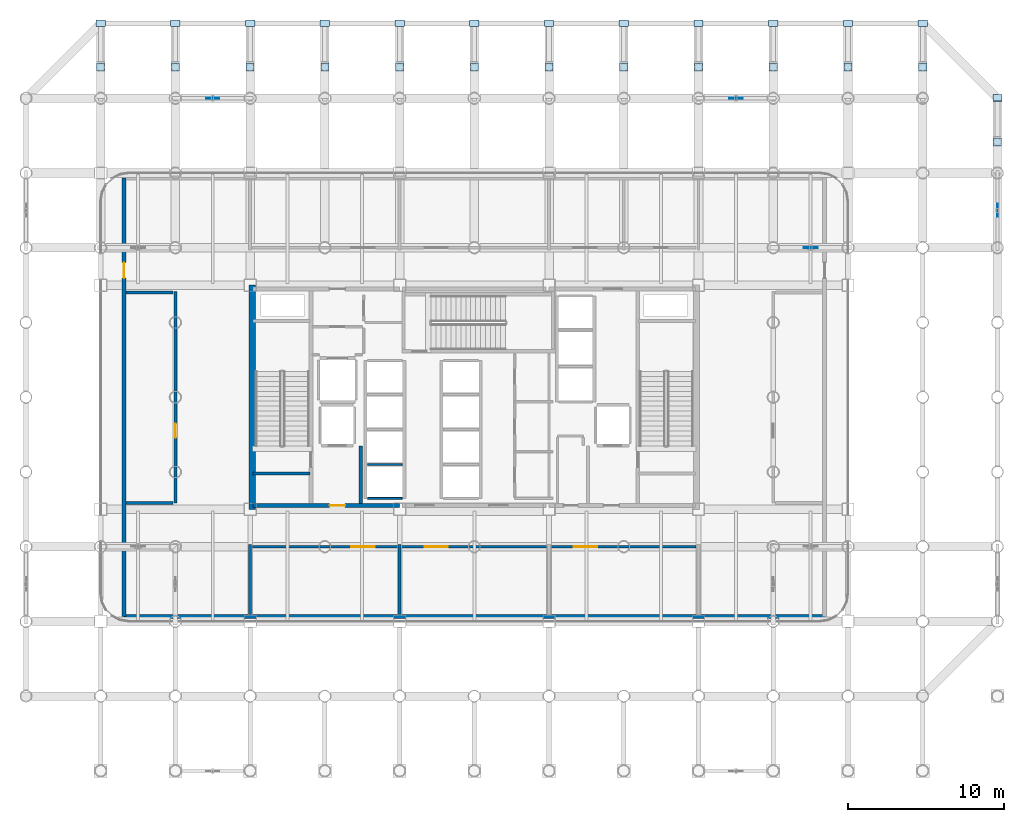
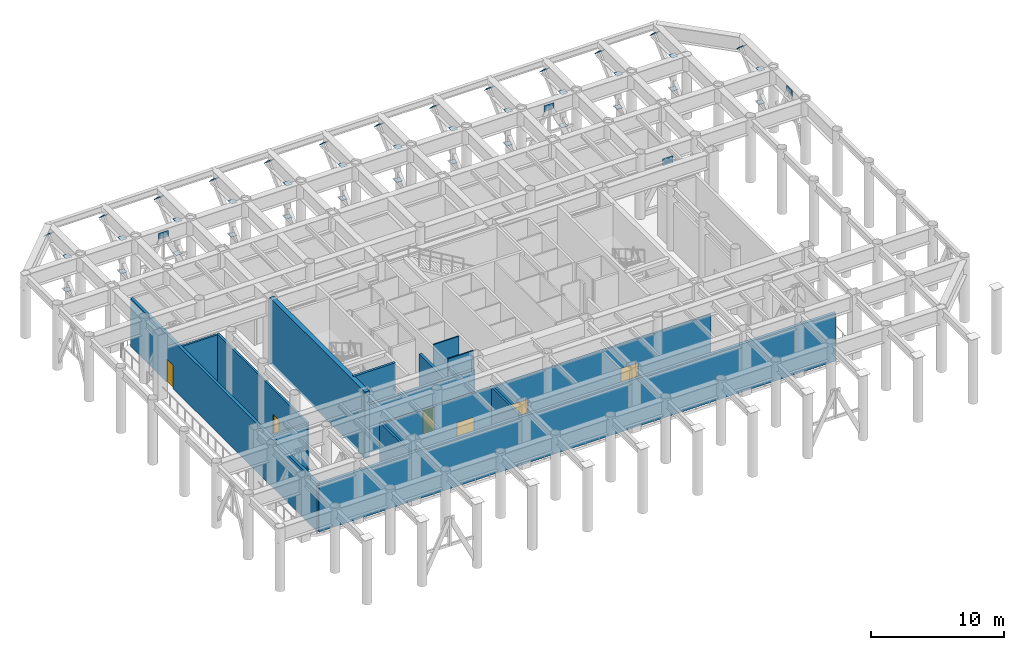
# One storey, part 12 of 19: 43 plates, 14 walls, 6 doors, 6 openings.
"""IFC4 building model written with IfcOpenShell, lengths in metres."""

from ifc_helpers import new_model, si_unit, direction, frame, frame_2d, origin, origin_2d, place, context, subcontext, project, spatial, polyline, rectangle, outline, extrude, material, layer, layer_set, type_object, element, fill, save


model = new_model("IFC4")

# Units and contexts
model_context = context("Model", 3, precision=1e-05, world=origin(), true_north=direction((0.0, 1.0)))
body_context = subcontext(model_context, "Body", "Model", "MODEL_VIEW")
ifc_project = project(units=[si_unit("LENGTHUNIT", "METRE"), si_unit("AREAUNIT", "SQUARE_METRE"), si_unit("VOLUMEUNIT", "CUBIC_METRE"), si_unit("PLANEANGLEUNIT", "RADIAN"), si_unit("MASSUNIT", "GRAM", prefix="KILO")], contexts=[model_context])

# Site, building, storey
site_placement = place(None, origin())
site = spatial("IfcSite", under=ifc_project, at=site_placement, CompositionType="ELEMENT")
building_placement = place(site_placement, origin())
building = spatial("IfcBuilding", under=site, at=building_placement, Name="Kallvorn Hotel Tower", CompositionType="ELEMENT")
storey_placement = place(building_placement, frame((0.0, 0.0, 89.199951171875)))
storey = spatial("IfcBuildingStorey", under=building, at=storey_placement, Name="L21", CompositionType="ELEMENT", Elevation=89.199951171875)

# Plates
ifc_material_1 = material(Name="Structural steel S355JR", Category="steel")
ifc_layer_1 = layer(ifc_material_1, 0.030029296875)
ifc_layer_set_1 = layer_set([ifc_layer_1], Name="PLT_CAP_30")
plate_type_1 = type_object("IfcPlateType", Name="PLT_CAP_30", PredefinedType="SHEET", material=ifc_layer_set_1)
for number, where, z_axis, x_axis, name in (
    (1, (-24.0, 21.199951171875, 1.3701171875), (0.0, 0.0, 1.0), (1.0, 0.0, 0.0), "L21 Prop Column End Cap Plate 01B"),
    (2, (-24.0, 21.199951171875, 4.43994140625), (0.0, 0.0, 1.0), (1.0, 0.0, 0.0), "L21 Prop Column End Cap Plate 01T"),
):
    element("IfcPlate", number, at=place(storey_placement, frame(where, z_axis=z_axis, x_axis=x_axis)), inside=storey, type_object=plate_type_1, Name=name, PredefinedType="SHEET", context=body_context, shape_type="SweptSolid", body=[
        extrude(rectangle(XDim=0.52001953125, YDim=0.52001953125, at=origin_2d()), origin(), (0.0, 0.0, 1.0), 0.030029296875),
    ])
plate_1_placement = place(storey_placement, frame((-23.699951171875, 24.2275390625, 4.572265625), z_axis=(0.0, 0.727949082746, 0.685631193084), x_axis=(-1.0, 0.0, 0.0)))
element("IfcPlate", 3, at=plate_1_placement, inside=storey, type_object=plate_type_1, Name="L21 Cantilever Strut Node Cap 01", PredefinedType="SHEET", context=body_context, shape_type="SweptSolid", body=[
    extrude(outline(polyline([(0.0, 0.0), (0.60009765625, 0.0), (0.60009765625, 0.5999974290474805), (0.0, 0.5999974290474805), (0.0, 0.0)])), origin(), (0.0, 0.0, -1.0), 0.030029296875),
])
for number, where, z_axis, x_axis, name in (
    (4, (-19.199951171875, 21.199951171875, 1.3701171875), (0.0, 0.0, 1.0), (1.0, 0.0, 0.0), "L21 Prop Column End Cap Plate 02B"),
    (5, (-19.199951171875, 21.199951171875, 4.43994140625), (0.0, 0.0, 1.0), (1.0, 0.0, 0.0), "L21 Prop Column End Cap Plate 02T"),
):
    element("IfcPlate", number, at=place(storey_placement, frame(where, z_axis=z_axis, x_axis=x_axis)), inside=storey, type_object=plate_type_1, Name=name, PredefinedType="SHEET", context=body_context, shape_type="SweptSolid", body=[
        extrude(rectangle(XDim=0.52001953125, YDim=0.52001953125, at=origin_2d()), origin(), (0.0, 0.0, 1.0), 0.030029296875),
    ])
plate_2_placement = place(storey_placement, frame((-18.89990234375, 24.2275390625, 4.572265625), z_axis=(0.0, 0.727949082746, 0.685631193084), x_axis=(-1.0, 0.0, 0.0)))
element("IfcPlate", 6, at=plate_2_placement, inside=storey, type_object=plate_type_1, Name="L21 Cantilever Strut Node Cap 02", PredefinedType="SHEET", context=body_context, shape_type="SweptSolid", body=[
    extrude(outline(polyline([(0.0, 0.0), (0.60009765625, 0.0), (0.60009765625, 0.5999974290474805), (0.0, 0.5999974290474805), (0.0, 0.0)])), origin(), (0.0, 0.0, -1.0), 0.030029296875),
])
for number, where, z_axis, x_axis, name in (
    (7, (-14.39990234375, 21.199951171875, 1.3701171875), (0.0, 0.0, 1.0), (1.0, 0.0, 0.0), "L21 Prop Column End Cap Plate 03B"),
    (8, (-14.39990234375, 21.199951171875, 4.43994140625), (0.0, 0.0, 1.0), (1.0, 0.0, 0.0), "L21 Prop Column End Cap Plate 03T"),
):
    element("IfcPlate", number, at=place(storey_placement, frame(where, z_axis=z_axis, x_axis=x_axis)), inside=storey, type_object=plate_type_1, Name=name, PredefinedType="SHEET", context=body_context, shape_type="SweptSolid", body=[
        extrude(rectangle(XDim=0.52001953125, YDim=0.52001953125, at=origin_2d()), origin(), (0.0, 0.0, 1.0), 0.030029296875),
    ])
plate_3_placement = place(storey_placement, frame((-14.10009765625, 24.2275390625, 4.572265625), z_axis=(0.0, 0.727949082746, 0.685631193084), x_axis=(-1.0, 0.0, 0.0)))
element("IfcPlate", 9, at=plate_3_placement, inside=storey, type_object=plate_type_1, Name="L21 Cantilever Strut Node Cap 03", PredefinedType="SHEET", context=body_context, shape_type="SweptSolid", body=[
    extrude(outline(polyline([(0.0, 0.0), (0.599853515625, 0.0), (0.599853515625, 0.5999974290474805), (0.0, 0.5999974290474805), (0.0, 0.0)])), origin(), (0.0, 0.0, -1.0), 0.030029296875),
])
for number, where, z_axis, x_axis, name in (
    (10, (-9.60009765625, 21.199951171875, 1.3701171875), (0.0, 0.0, 1.0), (1.0, 0.0, 0.0), "L21 Prop Column End Cap Plate 04B"),
    (11, (-9.60009765625, 21.199951171875, 4.43994140625), (0.0, 0.0, 1.0), (1.0, 0.0, 0.0), "L21 Prop Column End Cap Plate 04T"),
):
    element("IfcPlate", number, at=place(storey_placement, frame(where, z_axis=z_axis, x_axis=x_axis)), inside=storey, type_object=plate_type_1, Name=name, PredefinedType="SHEET", context=body_context, shape_type="SweptSolid", body=[
        extrude(rectangle(XDim=0.52001953125, YDim=0.52001953125, at=origin_2d()), origin(), (0.0, 0.0, 1.0), 0.030029296875),
    ])
plate_4_placement = place(storey_placement, frame((-9.300048828125, 24.2275390625, 4.572265625), z_axis=(0.0, 0.727949082746, 0.685631193084), x_axis=(-1.0, 0.0, 0.0)))
element("IfcPlate", 12, at=plate_4_placement, inside=storey, type_object=plate_type_1, Name="L21 Cantilever Strut Node Cap 04", PredefinedType="SHEET", context=body_context, shape_type="SweptSolid", body=[
    extrude(outline(polyline([(0.0, 0.0), (0.599853515625, 0.0), (0.599853515625, 0.5999974290474805), (0.0, 0.5999974290474805), (0.0, 0.0)])), origin(), (0.0, 0.0, -1.0), 0.030029296875),
])
for number, where, z_axis, x_axis, name in (
    (13, (-4.800048828125, 21.199951171875, 1.3701171875), (0.0, 0.0, 1.0), (1.0, 0.0, 0.0), "L21 Prop Column End Cap Plate 05B"),
    (14, (-4.800048828125, 21.199951171875, 4.43994140625), (0.0, 0.0, 1.0), (1.0, 0.0, 0.0), "L21 Prop Column End Cap Plate 05T"),
):
    element("IfcPlate", number, at=place(storey_placement, frame(where, z_axis=z_axis, x_axis=x_axis)), inside=storey, type_object=plate_type_1, Name=name, PredefinedType="SHEET", context=body_context, shape_type="SweptSolid", body=[
        extrude(rectangle(XDim=0.52001953125, YDim=0.52001953125, at=origin_2d()), origin(), (0.0, 0.0, 1.0), 0.030029296875),
    ])
plate_5_placement = place(storey_placement, frame((-4.5, 24.2275390625, 4.572265625), z_axis=(0.0, 0.727949082746, 0.685631193084), x_axis=(-1.0, 0.0, 0.0)))
element("IfcPlate", 15, at=plate_5_placement, inside=storey, type_object=plate_type_1, Name="L21 Cantilever Strut Node Cap 05", PredefinedType="SHEET", context=body_context, shape_type="SweptSolid", body=[
    extrude(outline(polyline([(0.0, 0.0), (0.60009765625, 0.0), (0.60009765625, 0.5999974290474805), (0.0, 0.5999974290474805), (0.0, 0.0)])), origin(), (0.0, 0.0, -1.0), 0.030029296875),
])
for number, where, z_axis, x_axis, name in (
    (16, (0.0, 21.199951171875, 1.3701171875), (0.0, 0.0, 1.0), (1.0, 0.0, 0.0), "L21 Prop Column End Cap Plate 06B"),
    (17, (0.0, 21.199951171875, 4.43994140625), (0.0, 0.0, 1.0), (1.0, 0.0, 0.0), "L21 Prop Column End Cap Plate 06T"),
):
    element("IfcPlate", number, at=place(storey_placement, frame(where, z_axis=z_axis, x_axis=x_axis)), inside=storey, type_object=plate_type_1, Name=name, PredefinedType="SHEET", context=body_context, shape_type="SweptSolid", body=[
        extrude(rectangle(XDim=0.52001953125, YDim=0.52001953125, at=origin_2d()), origin(), (0.0, 0.0, 1.0), 0.030029296875),
    ])
plate_6_placement = place(storey_placement, frame((0.300048828125, 24.2275390625, 4.572265625), z_axis=(0.0, 0.727949082746, 0.685631193084), x_axis=(-1.0, 0.0, 0.0)))
element("IfcPlate", 18, at=plate_6_placement, inside=storey, type_object=plate_type_1, Name="L21 Cantilever Strut Node Cap 06", PredefinedType="SHEET", context=body_context, shape_type="SweptSolid", body=[
    extrude(outline(polyline([(0.0, 0.0), (0.60009765625, 0.0), (0.60009765625, 0.5999974290474805), (0.0, 0.5999974290474805), (0.0, 0.0)])), origin(), (0.0, 0.0, -1.0), 0.030029296875),
])
for number, where, z_axis, x_axis, name in (
    (19, (4.800048828125, 21.199951171875, 1.3701171875), (0.0, 0.0, 1.0), (1.0, 0.0, 0.0), "L21 Prop Column End Cap Plate 07B"),
    (20, (4.800048828125, 21.199951171875, 4.43994140625), (0.0, 0.0, 1.0), (1.0, 0.0, 0.0), "L21 Prop Column End Cap Plate 07T"),
):
    element("IfcPlate", number, at=place(storey_placement, frame(where, z_axis=z_axis, x_axis=x_axis)), inside=storey, type_object=plate_type_1, Name=name, PredefinedType="SHEET", context=body_context, shape_type="SweptSolid", body=[
        extrude(rectangle(XDim=0.52001953125, YDim=0.52001953125, at=origin_2d()), origin(), (0.0, 0.0, 1.0), 0.030029296875),
    ])
plate_7_placement = place(storey_placement, frame((5.10009765625, 24.2275390625, 4.572265625), z_axis=(0.0, 0.727949082746, 0.685631193084), x_axis=(-1.0, 0.0, 0.0)))
element("IfcPlate", 21, at=plate_7_placement, inside=storey, type_object=plate_type_1, Name="L21 Cantilever Strut Node Cap 07", PredefinedType="SHEET", context=body_context, shape_type="SweptSolid", body=[
    extrude(outline(polyline([(0.0, 0.0), (0.60009765625, 0.0), (0.60009765625, 0.5999974290474805), (0.0, 0.5999974290474805), (0.0, 0.0)])), origin(), (0.0, 0.0, -1.0), 0.030029296875),
])
for number, where, z_axis, x_axis, name in (
    (22, (9.60009765625, 21.199951171875, 1.3701171875), (0.0, 0.0, 1.0), (1.0, 0.0, 0.0), "L21 Prop Column End Cap Plate 08B"),
    (23, (9.60009765625, 21.199951171875, 4.43994140625), (0.0, 0.0, 1.0), (1.0, 0.0, 0.0), "L21 Prop Column End Cap Plate 08T"),
):
    element("IfcPlate", number, at=place(storey_placement, frame(where, z_axis=z_axis, x_axis=x_axis)), inside=storey, type_object=plate_type_1, Name=name, PredefinedType="SHEET", context=body_context, shape_type="SweptSolid", body=[
        extrude(rectangle(XDim=0.52001953125, YDim=0.52001953125, at=origin_2d()), origin(), (0.0, 0.0, 1.0), 0.030029296875),
    ])
plate_8_placement = place(storey_placement, frame((9.89990234375, 24.2275390625, 4.572265625), z_axis=(0.0, 0.727949082746, 0.685631193084), x_axis=(-1.0, 0.0, 0.0)))
element("IfcPlate", 24, at=plate_8_placement, inside=storey, type_object=plate_type_1, Name="L21 Cantilever Strut Node Cap 08", PredefinedType="SHEET", context=body_context, shape_type="SweptSolid", body=[
    extrude(outline(polyline([(0.0, 0.0), (0.599853515625, 0.0), (0.599853515625, 0.5999974290474805), (0.0, 0.5999974290474805), (0.0, 0.0)])), origin(), (0.0, 0.0, -1.0), 0.030029296875),
])
for number, where, z_axis, x_axis, name in (
    (25, (14.39990234375, 21.199951171875, 1.3701171875), (0.0, 0.0, 1.0), (1.0, 0.0, 0.0), "L21 Prop Column End Cap Plate 09B"),
    (26, (14.39990234375, 21.199951171875, 4.43994140625), (0.0, 0.0, 1.0), (1.0, 0.0, 0.0), "L21 Prop Column End Cap Plate 09T"),
):
    element("IfcPlate", number, at=place(storey_placement, frame(where, z_axis=z_axis, x_axis=x_axis)), inside=storey, type_object=plate_type_1, Name=name, PredefinedType="SHEET", context=body_context, shape_type="SweptSolid", body=[
        extrude(rectangle(XDim=0.52001953125, YDim=0.52001953125, at=origin_2d()), origin(), (0.0, 0.0, 1.0), 0.030029296875),
    ])
plate_9_placement = place(storey_placement, frame((14.699951171875, 24.2275390625, 4.572265625), z_axis=(0.0, 0.727949082746, 0.685631193084), x_axis=(-1.0, 0.0, 0.0)))
element("IfcPlate", 27, at=plate_9_placement, inside=storey, type_object=plate_type_1, Name="L21 Cantilever Strut Node Cap 09", PredefinedType="SHEET", context=body_context, shape_type="SweptSolid", body=[
    extrude(outline(polyline([(0.0, 0.0), (0.599853515625, 0.0), (0.599853515625, 0.5999974290474805), (0.0, 0.5999974290474805), (0.0, 0.0)])), origin(), (0.0, 0.0, -1.0), 0.030029296875),
])
for number, where, z_axis, x_axis, name in (
    (28, (19.199951171875, 21.199951171875, 1.3701171875), (0.0, 0.0, 1.0), (1.0, 0.0, 0.0), "L21 Prop Column End Cap Plate 10B"),
    (29, (19.199951171875, 21.199951171875, 4.43994140625), (0.0, 0.0, 1.0), (1.0, 0.0, 0.0), "L21 Prop Column End Cap Plate 10T"),
):
    element("IfcPlate", number, at=place(storey_placement, frame(where, z_axis=z_axis, x_axis=x_axis)), inside=storey, type_object=plate_type_1, Name=name, PredefinedType="SHEET", context=body_context, shape_type="SweptSolid", body=[
        extrude(rectangle(XDim=0.52001953125, YDim=0.52001953125, at=origin_2d()), origin(), (0.0, 0.0, 1.0), 0.030029296875),
    ])
plate_10_placement = place(storey_placement, frame((19.5, 24.2275390625, 4.572265625), z_axis=(0.0, 0.727949082746, 0.685631193084), x_axis=(-1.0, 0.0, 0.0)))
element("IfcPlate", 30, at=plate_10_placement, inside=storey, type_object=plate_type_1, Name="L21 Cantilever Strut Node Cap 10", PredefinedType="SHEET", context=body_context, shape_type="SweptSolid", body=[
    extrude(outline(polyline([(0.0, 0.0), (0.60009765625, 0.0), (0.60009765625, 0.5999974290474805), (0.0, 0.5999974290474805), (0.0, 0.0)])), origin(), (0.0, 0.0, -1.0), 0.030029296875),
])
for number, where, z_axis, x_axis, name in (
    (31, (24.0, 21.199951171875, 1.3701171875), (0.0, 0.0, 1.0), (1.0, 0.0, 0.0), "L21 Prop Column End Cap Plate 11B"),
    (32, (24.0, 21.199951171875, 4.43994140625), (0.0, 0.0, 1.0), (1.0, 0.0, 0.0), "L21 Prop Column End Cap Plate 11T"),
):
    element("IfcPlate", number, at=place(storey_placement, frame(where, z_axis=z_axis, x_axis=x_axis)), inside=storey, type_object=plate_type_1, Name=name, PredefinedType="SHEET", context=body_context, shape_type="SweptSolid", body=[
        extrude(rectangle(XDim=0.52001953125, YDim=0.52001953125, at=origin_2d()), origin(), (0.0, 0.0, 1.0), 0.030029296875),
    ])
plate_11_placement = place(storey_placement, frame((24.300048828125, 24.2275390625, 4.572265625), z_axis=(0.0, 0.727949082746, 0.685631193084), x_axis=(-1.0, 0.0, 0.0)))
element("IfcPlate", 33, at=plate_11_placement, inside=storey, type_object=plate_type_1, Name="L21 Cantilever Strut Node Cap 11", PredefinedType="SHEET", context=body_context, shape_type="SweptSolid", body=[
    extrude(outline(polyline([(0.0, 0.0), (0.60009765625, 0.0), (0.60009765625, 0.5999974290474805), (0.0, 0.5999974290474805), (0.0, 0.0)])), origin(), (0.0, 0.0, -1.0), 0.030029296875),
])
for number, where, z_axis, x_axis, name in (
    (34, (28.800048828125, 21.199951171875, 1.3701171875), (0.0, 0.0, 1.0), (1.0, 0.0, 0.0), "L21 Prop Column End Cap Plate 12B"),
    (35, (28.800048828125, 21.199951171875, 4.43994140625), (0.0, 0.0, 1.0), (1.0, 0.0, 0.0), "L21 Prop Column End Cap Plate 12T"),
):
    element("IfcPlate", number, at=place(storey_placement, frame(where, z_axis=z_axis, x_axis=x_axis)), inside=storey, type_object=plate_type_1, Name=name, PredefinedType="SHEET", context=body_context, shape_type="SweptSolid", body=[
        extrude(rectangle(XDim=0.52001953125, YDim=0.52001953125, at=origin_2d()), origin(), (0.0, 0.0, 1.0), 0.030029296875),
    ])
plate_12_placement = place(storey_placement, frame((29.10009765625, 24.2275390625, 4.572265625), z_axis=(0.0, 0.727949082746, 0.685631193084), x_axis=(-1.0, 0.0, 0.0)))
element("IfcPlate", 36, at=plate_12_placement, inside=storey, type_object=plate_type_1, Name="L21 Cantilever Strut Node Cap 12", PredefinedType="SHEET", context=body_context, shape_type="SweptSolid", body=[
    extrude(outline(polyline([(0.0, 0.0), (0.60009765625, 0.0), (0.60009765625, 0.5999974290474805), (0.0, 0.5999974290474805), (0.0, 0.0)])), origin(), (0.0, 0.0, -1.0), 0.030029296875),
])
for number, where, z_axis, x_axis, name in (
    (37, (33.60009765625, 16.39990234375, 1.3701171875), (0.0, 0.0, 1.0), (1.0, 0.0, 0.0), "L21 Prop Column End Cap Plate 13B"),
    (38, (33.60009765625, 16.39990234375, 4.43994140625), (0.0, 0.0, 1.0), (1.0, 0.0, 0.0), "L21 Prop Column End Cap Plate 13T"),
):
    element("IfcPlate", number, at=place(storey_placement, frame(where, z_axis=z_axis, x_axis=x_axis)), inside=storey, type_object=plate_type_1, Name=name, PredefinedType="SHEET", context=body_context, shape_type="SweptSolid", body=[
        extrude(rectangle(XDim=0.52001953125, YDim=0.52001953125, at=origin_2d()), origin(), (0.0, 0.0, 1.0), 0.030029296875),
    ])
plate_13_placement = place(storey_placement, frame((33.89990234375, 19.427490234375, 4.572265625), z_axis=(0.0, 0.727949082746, 0.685631193084), x_axis=(-1.0, 0.0, 0.0)))
element("IfcPlate", 39, at=plate_13_placement, inside=storey, type_object=plate_type_1, Name="L21 Cantilever Strut Node Cap 13", PredefinedType="SHEET", context=body_context, shape_type="SweptSolid", body=[
    extrude(outline(polyline([(0.0, 0.0), (0.599853515625, 0.0), (0.599853515625, 0.5999974290474805), (0.0, 0.5999974290474805), (0.0, 0.0)])), origin(), (0.0, 0.0, -1.0), 0.030029296875),
])
ifc_material_2 = material(Name="Structural steel S355JR", Category="steel")
ifc_layer_2 = layer(ifc_material_2, 0.0400390625)
ifc_layer_set_2 = layer_set([ifc_layer_2], Name="PLT_GUSSET_40")
plate_type_2 = type_object("IfcPlateType", Name="PLT_GUSSET_40", PredefinedType="USERDEFINED", material=ifc_layer_set_2)
plate_14_placement = place(storey_placement, frame((21.60009765625, 9.60009765625, 3.9951171875), z_axis=(0.0, 0.0, 1.0), x_axis=(1.0, 0.0, 0.0)))
element("IfcPlate", 40, at=plate_14_placement, inside=storey, type_object=plate_type_2, Name="L21 Outrigger Node Gusset Plate OTE2", ObjectType="GUSSET PLATE", PredefinedType="USERDEFINED", context=body_context, shape_type="SweptSolid", body=[
    extrude(rectangle(XDim=0.89990234375, YDim=0.0400390625, at=origin_2d()), origin(), (0.0, 0.0, 1.0), 0.64990234375),
])
for number, where, z_axis, x_axis, name in (
    (41, (-16.800048828125, 19.199951171875, 4.84521484375), (0.0, 0.0, 1.0), (1.0, 0.0, 0.0), "L21 Belt Truss Gusset Plate 3"),
    (42, (16.800048828125, 19.199951171875, 4.84521484375), (0.0, 0.0, 1.0), (1.0, 0.0, 0.0), "L21 Belt Truss Gusset Plate 4"),
    (43, (33.60009765625, 12.0, 4.84521484375), (0.0, 0.0, 1.0), (0.0, 1.0, 0.0), "L21 Belt Truss Gusset Plate 8"),
):
    element("IfcPlate", number, at=place(storey_placement, frame(where, z_axis=z_axis, x_axis=x_axis)), inside=storey, type_object=plate_type_2, Name=name, ObjectType="GUSSET PLATE", PredefinedType="USERDEFINED", context=body_context, shape_type="SweptSolid", body=[
        extrude(rectangle(XDim=0.85009765625, YDim=0.0400390625, at=origin_2d()), origin(), (0.0, 0.0, 1.0), 0.550048828125),
    ])

# Wall
ifc_material_3 = material(Name="Concrete C50/60", Category="concrete")
ifc_layer_3 = layer(ifc_material_3, 0.39990234375)
ifc_layer_set_3 = layer_set([ifc_layer_3], Name="WL_CORE_400")
wall_type_1 = type_object("IfcWallType", Name="WL_CORE_400", PredefinedType="SHEAR", material=ifc_layer_set_3)
wall_1_placement = place(storey_placement, frame((-14.264892578125, -7.199951171875, -0.25), z_axis=(0.0, 0.0, 1.0), x_axis=(0.0, 1.0, 0.0)))
element("IfcWall", 44, at=wall_1_placement, inside=storey, type_object=wall_type_1, Name="L21 Core West Shear Wall", PredefinedType="SHEAR", context=body_context, shape_type="SweptSolid", body=[
    extrude(rectangle(XDim=14.39990234375, YDim=0.39990234375, at=frame_2d((7.199951171875, 0.0))), origin(), (0.0, 0.0, 1.0), 6.070068359375),
])

# Wall, openings, doors
ifc_material_4 = material(Name="Fire-rated double-layer acoustic gypsum drywall EI 60")
ifc_layer_4 = layer(ifc_material_4, 0.179931640625)
ifc_layer_set_4 = layer_set([ifc_layer_4], Name="WL_CORR_180")
wall_type_2 = type_object("IfcWallType", Name="WL_CORR_180", PredefinedType="PARTITIONING", material=ifc_layer_set_4)
wall_2_placement = place(storey_placement, frame((-14.25, -9.60009765625, 0.0), z_axis=(0.0, 0.0, 1.0), x_axis=(1.0, 0.0, 0.0)))
wall_2 = element("IfcWall", 45, at=wall_2_placement, inside=storey, type_object=wall_type_2, Name="L21 L21 Pressurised Fire Refuge Area South Partition", PredefinedType="PARTITIONING", context=body_context, shape_type="SweptSolid", body=[
    extrude(rectangle(XDim=28.5, YDim=0.179931640625, at=frame_2d((14.25, 0.0))), origin(), (0.0, 0.0, 1.0), 4.420166015625),
])
opening_1_placement = place(wall_2_placement, frame((6.35400390625, 0.0, 0.0)))
opening_1 = element("IfcOpeningElement", 46, at=opening_1_placement, cuts=wall_2, Name="Opening PD1", PredefinedType="OPENING", context=body_context, shape_type="SweptSolid", body=[
    extrude(rectangle(XDim=1.5, YDim=2.199951171875, at=frame_2d((0.75, 1.10009765625))), frame((0.0, 0.104736328125, 0.0), z_axis=(0.0, -1.0, 0.0), x_axis=(1.0, 0.0, 0.0)), (0.0, 0.0, 1.0), 0.2099609375),
])
opening_2_placement = place(wall_2_placement, frame((11.056396484375, 0.0, 0.0)))
opening_2 = element("IfcOpeningElement", 47, at=opening_2_placement, cuts=wall_2, Name="Opening PD1", PredefinedType="OPENING", context=body_context, shape_type="SweptSolid", body=[
    extrude(rectangle(XDim=1.5, YDim=2.199951171875, at=frame_2d((0.75, 1.10009765625))), frame((0.0, 0.104736328125, 0.0), z_axis=(0.0, -1.0, 0.0), x_axis=(1.0, 0.0, 0.0)), (0.0, 0.0, 1.0), 0.2099609375),
])
opening_3_placement = place(wall_2_placement, frame((20.64599609375, 0.0, 0.0)))
opening_3 = element("IfcOpeningElement", 48, at=opening_3_placement, cuts=wall_2, Name="Opening PD1", PredefinedType="OPENING", context=body_context, shape_type="SweptSolid", body=[
    extrude(rectangle(XDim=1.5, YDim=2.199951171875, at=frame_2d((0.75, 1.10009765625))), frame((0.0, 0.104736328125, 0.0), z_axis=(0.0, -1.0, 0.0), x_axis=(1.0, 0.0, 0.0)), (0.0, 0.0, 1.0), 0.2099609375),
])
ifc_material_5 = material(Name="Galvanised painted steel fire-rated door assembly", Category="steel")
door_type_1 = type_object("IfcDoorType", Name="DR_PLANT_1500x2200", OperationType="DOUBLE_DOOR_SINGLE_SWING", PredefinedType="DOOR", material=ifc_material_5)
door_1_placement = place(opening_1_placement, origin())
door_1 = element("IfcDoor", 49, at=door_1_placement, inside=storey, type_object=door_type_1, Name="L21 L21 Pressurised Fire Refuge Area South Door", OperationType="DOUBLE_DOOR_SINGLE_SWING", OverallHeight=2.199951171875, OverallWidth=1.5, PredefinedType="DOOR", context=body_context, shape_type="SweptSolid", body=[
    extrude(rectangle(XDim=1.5, YDim=2.199951171875, at=frame_2d((0.75, 1.10009765625))), frame((0.0, 0.02490234375, 0.0), z_axis=(0.0, -1.0, 0.0), x_axis=(1.0, 0.0, 0.0)), (0.0, 0.0, 1.0), 0.050048828125),
])
fill(opening_1, door_1)
door_2_placement = place(opening_2_placement, origin())
door_2 = element("IfcDoor", 50, at=door_2_placement, inside=storey, type_object=door_type_1, Name="L21 L21 Air Handling and Ventilation Fan Plant Door", OperationType="DOUBLE_DOOR_SINGLE_SWING", OverallHeight=2.199951171875, OverallWidth=1.5, PredefinedType="DOOR", context=body_context, shape_type="SweptSolid", body=[
    extrude(rectangle(XDim=1.5, YDim=2.199951171875, at=frame_2d((0.75, 1.10009765625))), frame((0.0, 0.02490234375, 0.0), z_axis=(0.0, -1.0, 0.0), x_axis=(1.0, 0.0, 0.0)), (0.0, 0.0, 1.0), 0.050048828125),
])
fill(opening_2, door_2)
door_3_placement = place(opening_3_placement, origin())
door_3 = element("IfcDoor", 51, at=door_3_placement, inside=storey, type_object=door_type_1, Name="L21 L21 Chilled-Water Heat Exchanger Plant Door", OperationType="DOUBLE_DOOR_SINGLE_SWING", OverallHeight=2.199951171875, OverallWidth=1.5, PredefinedType="DOOR", context=body_context, shape_type="SweptSolid", body=[
    extrude(rectangle(XDim=1.5, YDim=2.199951171875, at=frame_2d((0.75, 1.10009765625))), frame((0.0, 0.02490234375, 0.0), z_axis=(0.0, -1.0, 0.0), x_axis=(1.0, 0.0, 0.0)), (0.0, 0.0, 1.0), 0.050048828125),
])
fill(opening_3, door_3)

# Walls
for number, where, z_axis, x_axis, name in (
    (52, (-22.364990234375, -6.800048828125, 0.0), (0.0, 0.0, 1.0), (1.0, 0.0, 0.0), "L21 L21 Pressurised Fire Refuge Area West Partition"),
    (53, (-22.364990234375, 6.716796875, 0.0), (0.0, 0.0, 1.0), (1.0, 0.0, 0.0), "L21 L21 Pressurised Fire Refuge Area West Partition"),
):
    element("IfcWall", number, at=place(storey_placement, frame(where, z_axis=z_axis, x_axis=x_axis)), inside=storey, type_object=wall_type_2, Name=name, PredefinedType="PARTITIONING", context=body_context, shape_type="SweptSolid", body=[
        extrude(rectangle(XDim=3.014892578125, YDim=0.179931640625, at=frame_2d((1.50732421875, 0.0))), origin(), (0.0, 0.0, 1.0), 4.420166015625),
    ])

# Wall, opening, door
wall_3_placement = place(storey_placement, frame((-19.199951171875, -6.800048828125, 0.0), z_axis=(0.0, 0.0, 1.0), x_axis=(0.0, 1.0, 0.0)))
wall_3 = element("IfcWall", 54, at=wall_3_placement, inside=storey, type_object=wall_type_2, Name="L21 L21 Pressurised Fire Refuge Area West Partition", PredefinedType="PARTITIONING", context=body_context, shape_type="SweptSolid", body=[
    extrude(rectangle(XDim=13.60009765625, YDim=0.179931640625, at=frame_2d((6.800048828125, 0.0))), origin(), (0.0, 0.0, 1.0), 4.420166015625),
])
opening_4_placement = place(wall_3_placement, frame((4.20703125, 0.0, 0.0)))
opening_4 = element("IfcOpeningElement", 55, at=opening_4_placement, cuts=wall_3, Name="Opening SVD1", PredefinedType="OPENING", context=body_context, shape_type="SweptSolid", body=[
    extrude(rectangle(XDim=0.89990234375, YDim=2.10009765625, at=frame_2d((0.449951171875, 1.050048828125))), frame((0.0, 0.104736328125, 0.0), z_axis=(0.0, -1.0, 0.0), x_axis=(1.0, 0.0, 0.0)), (0.0, 0.0, 1.0), 0.2099609375),
])
ifc_material_6 = material(Name="Galvanised painted steel fire-rated door assembly", Category="steel")
door_type_2 = type_object("IfcDoorType", Name="DR_SERV_900x2100", OperationType="NOTDEFINED", PredefinedType="DOOR", material=ifc_material_6)
door_4_placement = place(opening_4_placement, origin())
door_4 = element("IfcDoor", 56, at=door_4_placement, inside=storey, type_object=door_type_2, Name="L21 L21 Pressurised Fire Refuge Area West Door", OperationType="SINGLE_SWING_RIGHT", OverallHeight=2.10009765625, OverallWidth=0.89990234375, PredefinedType="DOOR", context=body_context, shape_type="SweptSolid", body=[
    extrude(rectangle(XDim=0.89990234375, YDim=2.10009765625, at=frame_2d((0.449951171875, 1.050048828125))), frame((0.0, 0.02490234375, 0.0), z_axis=(0.0, -1.0, 0.0), x_axis=(1.0, 0.0, 0.0)), (0.0, 0.0, 1.0), 0.050048828125),
])
fill(opening_4, door_4)

# Walls
for number, where, z_axis, x_axis, name in (
    (57, (-14.39990234375, -13.945068359375, 0.0), (0.0, 0.0, 1.0), (0.0, 1.0, 0.0), "L21 L21 Pressurised Fire Refuge Area South Partition"),
    (58, (-4.800048828125, -13.945068359375, 0.0), (0.0, 0.0, 1.0), (0.0, 1.0, 0.0), "L21 L21 Air Handling and Ventilation Fan Plant Partition"),
):
    element("IfcWall", number, at=place(storey_placement, frame(where, z_axis=z_axis, x_axis=x_axis)), inside=storey, type_object=wall_type_2, Name=name, PredefinedType="PARTITIONING", context=body_context, shape_type="SweptSolid", body=[
        extrude(rectangle(XDim=4.4951171875, YDim=0.179931640625, at=frame_2d((2.24755859375, 0.0))), origin(), (0.0, 0.0, 1.0), 4.420166015625),
    ])
ifc_material_7 = material(Name="Precast basalt-clad insulated concrete wall C40/50", Category="masonry")
ifc_layer_5 = layer(ifc_material_7, 0.25)
ifc_layer_set_5 = layer_set([ifc_layer_5], Name="WL_EXT_HUB_250")
wall_type_3 = type_object("IfcWallType", Name="WL_EXT_HUB_250", PredefinedType="SOLIDWALL", material=ifc_layer_set_5)
wall_4_placement = place(storey_placement, frame((22.5, -14.080078125, 0.0), z_axis=(0.0, 0.0, 1.0), x_axis=(-1.0, 0.0, 0.0)))
element("IfcWall", 59, at=wall_4_placement, inside=storey, type_object=wall_type_3, Name="L21 Wind-Hub Acoustic Enclosure Wall S", PredefinedType="SOLIDWALL", context=body_context, shape_type="SweptSolid", body=[
    extrude(rectangle(XDim=45.0, YDim=0.25, at=frame_2d((22.5, 0.0))), origin(), (0.0, 0.0, 1.0), 4.420166015625),
])

# Wall, opening, door
wall_5_placement = place(storey_placement, frame((-22.5, -14.080078125, 0.0), z_axis=(0.0, 0.0, 1.0), x_axis=(0.0, 1.0, 0.0)))
wall_5 = element("IfcWall", 60, at=wall_5_placement, inside=storey, type_object=wall_type_3, Name="L21 Wind-Hub Acoustic Enclosure Wall W", PredefinedType="SOLIDWALL", context=body_context, shape_type="SweptSolid", body=[
    extrude(rectangle(XDim=28.16015625, YDim=0.25, at=frame_2d((14.080078125, 0.0))), origin(), (0.0, 0.0, 1.0), 4.420166015625),
])
opening_5_placement = place(wall_5_placement, frame((21.72998046875, 0.0, 0.0)))
opening_5 = element("IfcOpeningElement", 61, at=opening_5_placement, cuts=wall_5, Name="Opening WDX1", PredefinedType="OPENING", context=body_context, shape_type="SweptSolid", body=[
    extrude(rectangle(XDim=1.0, YDim=2.14990234375, at=frame_2d((0.5, 1.074951171875))), frame((0.0, 0.139892578125, 0.0), z_axis=(0.0, -1.0, 0.0), x_axis=(1.0, 0.0, 0.0)), (0.0, 0.0, 1.0), 0.280029296875),
])
ifc_material_8 = material(Name="Galvanised painted steel S275JR balustrade", Category="steel")
door_type_3 = type_object("IfcDoorType", Name="DR_WIND_EXT_1000x2150", OperationType="NOTDEFINED", PredefinedType="DOOR", material=ifc_material_8)
door_5_placement = place(opening_5_placement, origin())
door_5 = element("IfcDoor", 62, at=door_5_placement, inside=storey, type_object=door_type_3, Name="L21 Turbine Deck Maintenance Access Door W", OperationType="SINGLE_SWING_LEFT", OverallHeight=2.14990234375, OverallWidth=1.0, PredefinedType="DOOR", context=body_context, shape_type="SweptSolid", body=[
    extrude(rectangle(XDim=1.0, YDim=2.14990234375, at=frame_2d((0.5, 1.074951171875))), frame((0.0, 0.02490234375, 0.0), z_axis=(0.0, -1.0, 0.0), x_axis=(1.0, 0.0, 0.0)), (0.0, 0.0, 1.0), 0.050048828125),
])
fill(opening_5, door_5)

# Walls
ifc_material_9 = material(Name="Concrete C40/50", Category="concrete")
ifc_layer_6 = layer(ifc_material_9, 0.219970703125)
ifc_layer_set_6 = layer_set([ifc_layer_6], Name="WL_FFL_220")
wall_type_4 = type_object("IfcWallType", Name="WL_FFL_220", PredefinedType="SOLIDWALL", material=ifc_layer_set_6)
wall_6_placement = place(storey_placement, frame((-7.300048828125, -6.820068359375, 0.0), z_axis=(0.0, 0.0, 1.0), x_axis=(0.0, 1.0, 0.0)))
element("IfcWall", 63, at=wall_6_placement, inside=storey, type_object=wall_type_4, Name="L21 Firefighting Lobby West Divider Wall", PredefinedType="SOLIDWALL", context=body_context, shape_type="SweptSolid", body=[
    extrude(rectangle(XDim=3.670166015625, YDim=0.219970703125, at=frame_2d((1.8349609375, 0.0))), origin(), (0.0, 0.0, 1.0), 4.420166015625),
])
ifc_material_10 = material(Name="Concrete C40/50", Category="concrete")
ifc_layer_7 = layer(ifc_material_10, 0.199951171875)
ifc_layer_set_7 = layer_set([ifc_layer_7], Name="WL_HOIST_200")
wall_type_5 = type_object("IfcWallType", Name="WL_HOIST_200", PredefinedType="SOLIDWALL", material=ifc_layer_set_7)
wall_7_placement = place(storey_placement, frame((-14.199951171875, -4.89990234375, -0.25), z_axis=(0.0, 0.0, 1.0), x_axis=(1.0, 0.0, 0.0)))
element("IfcWall", 64, at=wall_7_placement, inside=storey, type_object=wall_type_5, Name="L21 Stair ST1 South Wall", PredefinedType="SOLIDWALL", context=body_context, shape_type="SweptSolid", body=[
    extrude(rectangle(XDim=3.64990234375, YDim=0.199951171875, at=frame_2d((1.824951171875, 0.0))), origin(), (0.0, 0.0, 1.0), 6.070068359375),
])
ifc_material_11 = material(Name="Fire-rated double-layer acoustic gypsum drywall EI 60")
ifc_layer_8 = layer(ifc_material_11, 0.1201171875)
ifc_layer_set_8 = layer_set([ifc_layer_8], Name="WL_INT_120")
wall_type_6 = type_object("IfcWallType", Name="WL_INT_120", PredefinedType="PARTITIONING", material=ifc_layer_set_8)
for number, where, z_axis, x_axis, name in (
    (65, (-6.860107421875, -6.5, 0.0), (0.0, 0.0, 1.0), (1.0, 0.0, 0.0), "L21 Lift Bank B1 South Closure Wall"),
    (66, (-6.860107421875, -4.324951171875, 0.0), (0.0, 0.0, 1.0), (1.0, 0.0, 0.0), "L21 PL-01 Hoistway Divider"),
):
    element("IfcWall", number, at=place(storey_placement, frame(where, z_axis=z_axis, x_axis=x_axis)), inside=storey, type_object=wall_type_6, Name=name, PredefinedType="PARTITIONING", context=body_context, shape_type="SweptSolid", body=[
        extrude(rectangle(XDim=2.22021484375, YDim=0.1201171875, at=frame_2d((1.110107421875, 0.0))), origin(), (0.0, 0.0, 1.0), 5.820068359375),
    ])

# Wall, opening, door
ifc_material_12 = material(Name="Concrete C40/50", Category="concrete")
ifc_layer_9 = layer(ifc_material_12, 0.25)
ifc_layer_set_9 = layer_set([ifc_layer_9], Name="WL_SHAFT_250")
wall_type_7 = type_object("IfcWallType", Name="WL_SHAFT_250", PredefinedType="SOLIDWALL", material=ifc_layer_set_9)
wall_8_placement = place(storey_placement, frame((-14.199951171875, -6.949951171875, 0.0), z_axis=(0.0, 0.0, 1.0), x_axis=(1.0, 0.0, 0.0)))
wall_8 = element("IfcWall", 67, at=wall_8_placement, inside=storey, type_object=wall_type_7, Name="L21 Core South-West Wall", PredefinedType="SOLIDWALL", context=body_context, shape_type="SweptSolid", body=[
    extrude(rectangle(XDim=9.39990234375, YDim=0.25, at=frame_2d((4.699951171875, 0.0))), origin(), (0.0, 0.0, 1.0), 4.420166015625),
])
opening_6_placement = place(wall_8_placement, frame((4.89990234375, 0.0, 0.0)))
opening_6 = element("IfcOpeningElement", 68, at=opening_6_placement, cuts=wall_8, Name="Opening FD1", PredefinedType="OPENING", context=body_context, shape_type="SweptSolid", body=[
    extrude(rectangle(XDim=1.0, YDim=2.14990234375, at=frame_2d((0.5, 1.074951171875))), frame((0.0, 0.139892578125, 0.0), z_axis=(0.0, -1.0, 0.0), x_axis=(1.0, 0.0, 0.0)), (0.0, 0.0, 1.0), 0.280029296875),
])
ifc_material_13 = material(Name="Galvanised painted steel fire-rated door assembly", Category="steel")
door_type_4 = type_object("IfcDoorType", Name="DR_FFL_1000x2150", OperationType="NOTDEFINED", PredefinedType="DOOR", material=ifc_material_13)
door_6_placement = place(opening_6_placement, origin())
door_6 = element("IfcDoor", 69, at=door_6_placement, inside=storey, type_object=door_type_4, Name="L21 Firefighting Lobby West Door", OperationType="SINGLE_SWING_LEFT", OverallHeight=2.14990234375, OverallWidth=1.0, PredefinedType="DOOR", context=body_context, shape_type="SweptSolid", body=[
    extrude(rectangle(XDim=1.0, YDim=2.14990234375, at=frame_2d((0.5, 1.074951171875))), frame((0.0, 0.02490234375, 0.0), z_axis=(0.0, -1.0, 0.0), x_axis=(1.0, 0.0, 0.0)), (0.0, 0.0, 1.0), 0.050048828125),
])
fill(opening_6, door_6)

save(model, "model.ifc")
